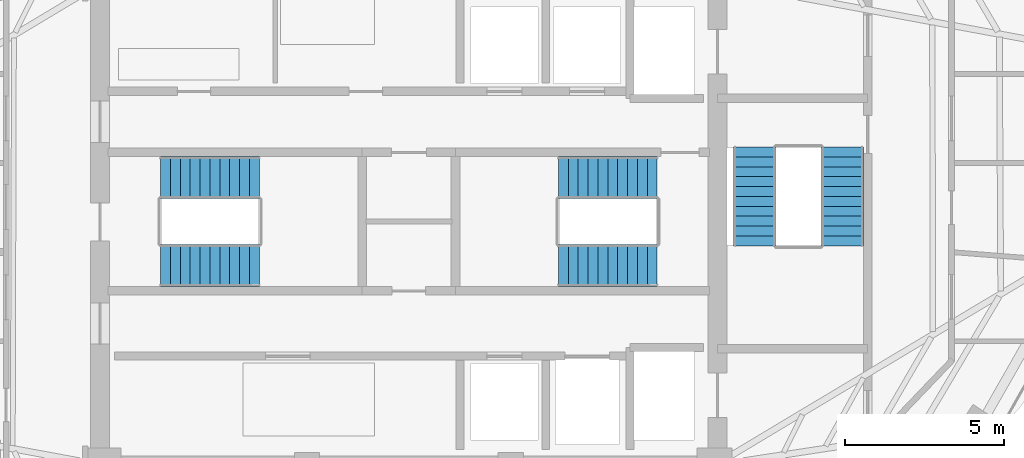
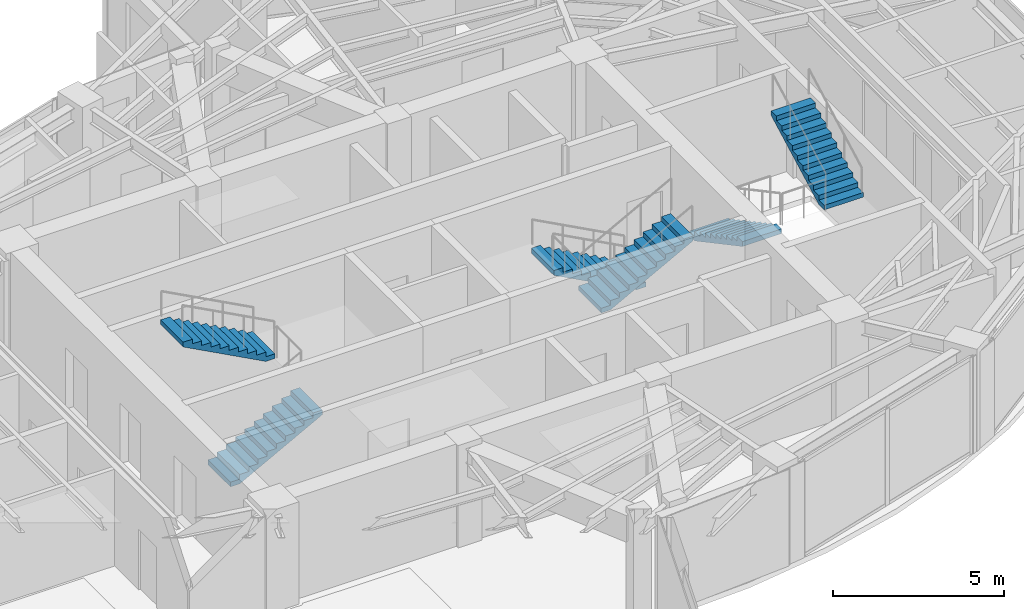
# One storey, part 21 of 23: 6 stair flights, 3 elements without a shape of their own.
"""IFC4 building model written with IfcOpenShell, lengths in metres."""

from ifc_helpers import new_model, si_unit, direction, frame, origin, place, context, subcontext, project, spatial, polyline, outline, extrude, material, type_object, element, aggregate, save


model = new_model("IFC4")

# Units and contexts
model_context = context("Model", 3, precision=1e-05, world=origin(), true_north=direction((0.0, 1.0)))
body_context = subcontext(model_context, "Body", "Model", "MODEL_VIEW")
ifc_project = project(units=[si_unit("LENGTHUNIT", "METRE"), si_unit("AREAUNIT", "SQUARE_METRE"), si_unit("VOLUMEUNIT", "CUBIC_METRE"), si_unit("PLANEANGLEUNIT", "RADIAN"), si_unit("MASSUNIT", "GRAM", prefix="KILO")], contexts=[model_context])

# Site, building, storey
site_placement = place(None, origin())
site = spatial("IfcSite", under=ifc_project, at=site_placement, CompositionType="ELEMENT")
building_placement = place(site_placement, origin())
building = spatial("IfcBuilding", under=site, at=building_placement, Name="Lazwardi Medical Tower", CompositionType="ELEMENT")
storey_placement = place(building_placement, frame((0.0, 0.0, 202.1279296875)))
storey = spatial("IfcBuildingStorey", under=building, at=storey_placement, Name="L52", CompositionType="ELEMENT", Elevation=202.1279296875)

# Stair, stair flights
ifc_material = material(Name="Concrete C45/55", Category="concrete")
stair_type = type_object("IfcStairType", Name="STR-WRD", PredefinedType="HALF_TURN_STAIR", material=ifc_material)
stair_1_placement = place(storey_placement, origin())
stair_1 = element("IfcStair", 1, at=stair_1_placement, inside=storey, type_object=stair_type, Name="L52 Protected Exit Stair ST1", PredefinedType="HALF_TURN_STAIR")
stair_flight_type = type_object("IfcStairFlightType", Name="FLT-WRD", PredefinedType="STRAIGHT", material=ifc_material)
stair_flight_1_placement = place(storey_placement, frame((28.199951171875, 26.679931640625, 0.0), z_axis=(0.0, 0.0, 1.0), x_axis=(1.0, 0.0, 0.0)))
stair_flight_1 = element("IfcStairFlight", 2, at=stair_flight_1_placement, type_object=stair_flight_type, Name="ST1 flight 1", NumberOfRisers=11, NumberOfTreads=10, PredefinedType="STRAIGHT", RiserHeight=0.165818182, TreadLength=0.31, context=body_context, shape_type="SweptSolid", body=[
    extrude(outline(polyline([(0.0, 0.0), (0.0, 0.165771484375), (0.31005859375, 0.165771484375), (0.31005859375, 0.33154296875), (0.6201171875, 0.33154296875), (0.6201171875, 0.49755859375), (0.929931640625, 0.49755859375), (0.929931640625, 0.663330078125), (1.239990234375, 0.663330078125), (1.239990234375, 0.8291015625), (1.550048828125, 0.8291015625), (1.550048828125, 0.994873046875), (1.860107421875, 0.994873046875), (1.860107421875, 1.16064453125), (2.169921875, 1.16064453125), (2.169921875, 1.32666015625), (2.47998046875, 1.32666015625), (2.47998046875, 1.492431640625), (2.7900390625, 1.492431640625), (2.7900390625, 1.658203125), (3.10009765625, 1.658203125), (3.10009765625, 1.823974609375), (3.10009765625, 1.48828125), (0.31787109375, 0.0), (0.0, 0.0)])), frame((0.0, 0.66015625, 0.0), z_axis=(0.0, -1.0, 0.0), x_axis=(1.0, 0.0, 0.0)), (0.0, 0.0, 1.0), 1.320068359375),
])
stair_flight_2_placement = place(storey_placement, frame((31.300048828125, 29.43994140625, 1.823974609375), z_axis=(0.0, 0.0, 1.0), x_axis=(-1.0, 0.0, 0.0)))
stair_flight_2 = element("IfcStairFlight", 3, at=stair_flight_2_placement, type_object=stair_flight_type, Name="ST1 flight 2", NumberOfRisers=11, NumberOfTreads=10, PredefinedType="STRAIGHT", RiserHeight=0.165818182, TreadLength=0.31, context=body_context, shape_type="SweptSolid", body=[
    extrude(outline(polyline([(0.0, 0.0), (0.0, 0.165771484375), (0.31005859375, 0.165771484375), (0.31005859375, 0.33154296875), (0.6201171875, 0.33154296875), (0.6201171875, 0.49755859375), (0.929931640625, 0.49755859375), (0.929931640625, 0.663330078125), (1.239990234375, 0.663330078125), (1.239990234375, 0.8291015625), (1.550048828125, 0.8291015625), (1.550048828125, 0.994873046875), (1.860107421875, 0.994873046875), (1.860107421875, 1.16064453125), (2.169921875, 1.16064453125), (2.169921875, 1.32666015625), (2.47998046875, 1.32666015625), (2.47998046875, 1.492431640625), (2.7900390625, 1.492431640625), (2.7900390625, 1.658203125), (3.10009765625, 1.658203125), (3.10009765625, 1.823974609375), (3.10009765625, 1.48828125), (0.31787109375, 0.0), (0.0, 0.0)])), frame((0.0, 0.66015625, 0.0), z_axis=(0.0, -1.0, 0.0), x_axis=(1.0, 0.0, 0.0)), (0.0, 0.0, 1.0), 1.320068359375),
])
aggregate(stair_1, [stair_flight_1, stair_flight_2])

stair_2_placement = place(storey_placement, origin())
stair_2 = element("IfcStair", 4, at=stair_2_placement, inside=storey, type_object=stair_type, Name="L52 Protected Exit Stair ST2", PredefinedType="HALF_TURN_STAIR")
stair_flight_3_placement = place(storey_placement, frame((43.800048828125, 29.43994140625, 0.0), z_axis=(0.0, 0.0, 1.0), x_axis=(-1.0, 0.0, 0.0)))
stair_flight_3 = element("IfcStairFlight", 5, at=stair_flight_3_placement, type_object=stair_flight_type, Name="ST2 flight 1", NumberOfRisers=11, NumberOfTreads=10, PredefinedType="STRAIGHT", RiserHeight=0.165818182, TreadLength=0.31, context=body_context, shape_type="SweptSolid", body=[
    extrude(outline(polyline([(0.0, 0.0), (0.0, 0.165771484375), (0.31005859375, 0.165771484375), (0.31005859375, 0.33154296875), (0.6201171875, 0.33154296875), (0.6201171875, 0.49755859375), (0.929931640625, 0.49755859375), (0.929931640625, 0.663330078125), (1.239990234375, 0.663330078125), (1.239990234375, 0.8291015625), (1.550048828125, 0.8291015625), (1.550048828125, 0.994873046875), (1.860107421875, 0.994873046875), (1.860107421875, 1.16064453125), (2.169921875, 1.16064453125), (2.169921875, 1.32666015625), (2.47998046875, 1.32666015625), (2.47998046875, 1.492431640625), (2.7900390625, 1.492431640625), (2.7900390625, 1.658203125), (3.10009765625, 1.658203125), (3.10009765625, 1.823974609375), (3.10009765625, 1.48828125), (0.31787109375, 0.0), (0.0, 0.0)])), frame((0.0, 0.66015625, 0.0), z_axis=(0.0, -1.0, 0.0), x_axis=(1.0, 0.0, 0.0)), (0.0, 0.0, 1.0), 1.320068359375),
])
stair_flight_4_placement = place(storey_placement, frame((40.699951171875, 26.679931640625, 1.823974609375), z_axis=(0.0, 0.0, 1.0), x_axis=(1.0, 0.0, 0.0)))
stair_flight_4 = element("IfcStairFlight", 6, at=stair_flight_4_placement, type_object=stair_flight_type, Name="ST2 flight 2", NumberOfRisers=11, NumberOfTreads=10, PredefinedType="STRAIGHT", RiserHeight=0.165818182, TreadLength=0.31, context=body_context, shape_type="SweptSolid", body=[
    extrude(outline(polyline([(0.0, 0.0), (0.0, 0.165771484375), (0.31005859375, 0.165771484375), (0.31005859375, 0.33154296875), (0.6201171875, 0.33154296875), (0.6201171875, 0.49755859375), (0.929931640625, 0.49755859375), (0.929931640625, 0.663330078125), (1.239990234375, 0.663330078125), (1.239990234375, 0.8291015625), (1.550048828125, 0.8291015625), (1.550048828125, 0.994873046875), (1.860107421875, 0.994873046875), (1.860107421875, 1.16064453125), (2.169921875, 1.16064453125), (2.169921875, 1.32666015625), (2.47998046875, 1.32666015625), (2.47998046875, 1.492431640625), (2.7900390625, 1.492431640625), (2.7900390625, 1.658203125), (3.10009765625, 1.658203125), (3.10009765625, 1.823974609375), (3.10009765625, 1.48828125), (0.31787109375, 0.0), (0.0, 0.0)])), frame((0.0, 0.66015625, 0.0), z_axis=(0.0, -1.0, 0.0), x_axis=(1.0, 0.0, 0.0)), (0.0, 0.0, 1.0), 1.320068359375),
])
aggregate(stair_2, [stair_flight_3, stair_flight_4])

stair_3_placement = place(storey_placement, origin())
stair_3 = element("IfcStair", 7, at=stair_3_placement, inside=storey, type_object=stair_type, Name="L52 Protected Exit Stair ST3", PredefinedType="HALF_TURN_STAIR")
stair_flight_5_placement = place(storey_placement, frame((46.860107421875, 30.39990234375, 0.0), z_axis=(0.0, 0.0, 1.0), x_axis=(0.0, -1.0, 0.0)))
stair_flight_5 = element("IfcStairFlight", 8, at=stair_flight_5_placement, type_object=stair_flight_type, Name="ST3 flight 1", NumberOfRisers=11, NumberOfTreads=10, PredefinedType="STRAIGHT", RiserHeight=0.165818182, TreadLength=0.31, context=body_context, shape_type="SweptSolid", body=[
    extrude(outline(polyline([(0.0, 0.0), (0.0, 0.165771484375), (0.31005859375, 0.165771484375), (0.31005859375, 0.33154296875), (0.6201171875, 0.33154296875), (0.6201171875, 0.49755859375), (0.929931640625, 0.49755859375), (0.929931640625, 0.663330078125), (1.239990234375, 0.663330078125), (1.239990234375, 0.8291015625), (1.550048828125, 0.8291015625), (1.550048828125, 0.994873046875), (1.860107421875, 0.994873046875), (1.860107421875, 1.16064453125), (2.169921875, 1.16064453125), (2.169921875, 1.32666015625), (2.47998046875, 1.32666015625), (2.47998046875, 1.492431640625), (2.7900390625, 1.492431640625), (2.7900390625, 1.658203125), (3.10009765625, 1.658203125), (3.10009765625, 1.823974609375), (3.10009765625, 1.48828125), (0.31787109375, 0.0), (0.0, 0.0)])), frame((0.0, 0.66015625, 0.0), z_axis=(0.0, -1.0, 0.0), x_axis=(1.0, 0.0, 0.0)), (0.0, 0.0, 1.0), 1.320068359375),
])
stair_flight_6_placement = place(storey_placement, frame((49.6201171875, 27.300048828125, 1.823974609375), z_axis=(0.0, 0.0, 1.0), x_axis=(0.0, 1.0, 0.0)))
stair_flight_6 = element("IfcStairFlight", 9, at=stair_flight_6_placement, type_object=stair_flight_type, Name="ST3 flight 2", NumberOfRisers=11, NumberOfTreads=10, PredefinedType="STRAIGHT", RiserHeight=0.165818182, TreadLength=0.31, context=body_context, shape_type="SweptSolid", body=[
    extrude(outline(polyline([(0.0, 0.0), (0.0, 0.165771484375), (0.31005859375, 0.165771484375), (0.31005859375, 0.33154296875), (0.6201171875, 0.33154296875), (0.6201171875, 0.49755859375), (0.929931640625, 0.49755859375), (0.929931640625, 0.663330078125), (1.239990234375, 0.663330078125), (1.239990234375, 0.8291015625), (1.550048828125, 0.8291015625), (1.550048828125, 0.994873046875), (1.860107421875, 0.994873046875), (1.860107421875, 1.16064453125), (2.169921875, 1.16064453125), (2.169921875, 1.32666015625), (2.47998046875, 1.32666015625), (2.47998046875, 1.492431640625), (2.7900390625, 1.492431640625), (2.7900390625, 1.658203125), (3.10009765625, 1.658203125), (3.10009765625, 1.823974609375), (3.10009765625, 1.48828125), (0.31787109375, 0.0), (0.0, 0.0)])), frame((0.0, 0.66015625, 0.0), z_axis=(0.0, -1.0, 0.0), x_axis=(1.0, 0.0, 0.0)), (0.0, 0.0, 1.0), 1.320068359375),
])
aggregate(stair_3, [stair_flight_5, stair_flight_6])

save(model, "model.ifc")
